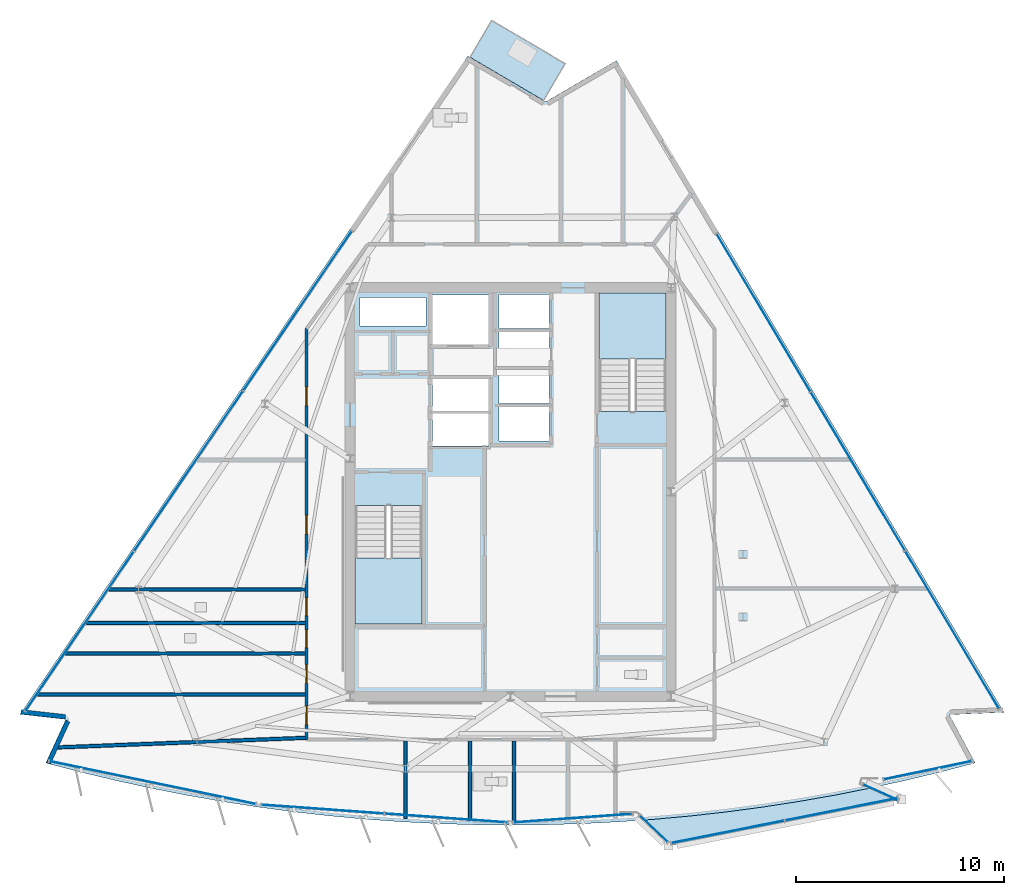
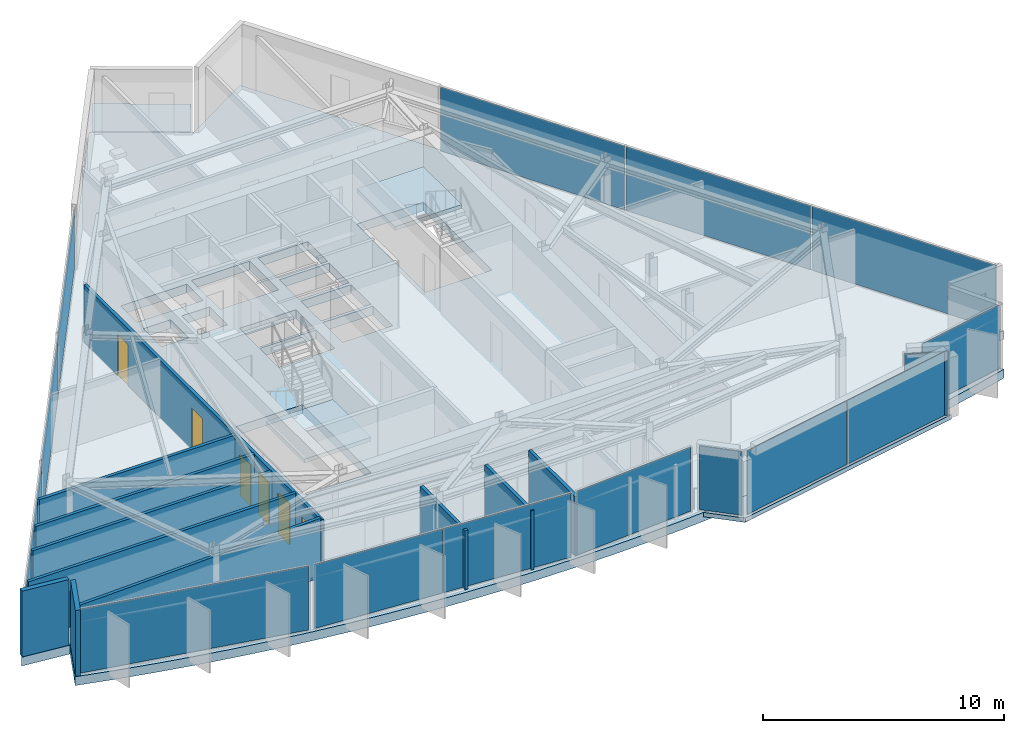
# One storey, part 7 of 14: 15 plates, 11 walls, 6 doors, 5 slabs, 6 openings, 11 elements without a shape of their own.
"""IFC4 building model written with IfcOpenShell, lengths in metres."""

import ifcopenshell
import ifcopenshell.guid

model = None  # the IFC model being written
_history = None  # IfcOwnerHistory: only IFC2X3 demands one
_inside = {}  # id of a spatial element -> (the spatial element, [elements in it])
_under = {}  # id of a project, library or spatial element -> (it, [spatial elements below it])
_declared = {}  # id of a project -> (the project, [libraries it declares])
_typed = {}  # id of a type object -> (the type object, [elements of that type])
_made_of = {}  # id of a material, layer set ... -> (it, [elements and type objects made of it])


def new_model(schema):
    """Start an empty IFC model of exactly this schema.

    Asked for "IFC4X3", IfcOpenShell would pick the latest addendum, in which some entities
    have other attributes; the version numbers below select the first issue.
    IFC2X3 requires an IfcOwnerHistory on every rooted entity: one is made here for all.
    """
    global model, _history
    if schema == "IFC4X3":
        model = ifcopenshell.file(schema_version=(4, 3, 0, 0))
    else:
        model = ifcopenshell.file(schema=schema)
    _inside.clear()
    _under.clear()
    _declared.clear()
    _typed.clear()
    _made_of.clear()
    _history = None
    if model.schema == "IFC2X3":
        org = make("IfcOrganization", Name="unknown")
        user = make(
            "IfcPersonAndOrganization",
            ThePerson=make("IfcPerson", FamilyName="unknown"),
            TheOrganization=org,
        )
        app = make(
            "IfcApplication",
            ApplicationDeveloper=org,
            Version="unknown",
            ApplicationFullName="unknown",
            ApplicationIdentifier="unknown",
        )
        _history = make(
            "IfcOwnerHistory",
            OwningUser=user,
            OwningApplication=app,
            ChangeAction="ADDED",
            CreationDate=0,
        )
    return model


def make(cls, **values):
    """One entity of the class cls with the attributes given. An attribute that is None is left unset."""
    return model.create_entity(
        cls, **{name: value for name, value in values.items() if value is not None}
    )


def rooted(cls, **values):
    """An entity with a GlobalId (a new one), such as an element, a storey or a relation."""
    return make(cls, GlobalId=ifcopenshell.guid.new(), OwnerHistory=_history, **values)


def si_unit(unit_type, name, prefix=None):
    """IfcSIUnit, for example si_unit("LENGTHUNIT", "METRE", prefix="MILLI")."""
    return make("IfcSIUnit", UnitType=unit_type, Prefix=prefix, Name=name)


def assignment(units):
    """IfcUnitAssignment: the units of a project."""
    return None if units is None else make("IfcUnitAssignment", Units=units)


def point(xyz):
    """IfcCartesianPoint."""
    return None if xyz is None else make("IfcCartesianPoint", Coordinates=xyz)


def direction(xyz):
    """IfcDirection."""
    return None if xyz is None else make("IfcDirection", DirectionRatios=xyz)


def frame(location, z_axis=None, x_axis=None):
    """IfcAxis2Placement3D, a coordinate frame: its origin and axes. An axis left out is left unset."""
    return make(
        "IfcAxis2Placement3D",
        Location=point(location),
        Axis=direction(z_axis),
        RefDirection=direction(x_axis),
    )


def frame_2d(location, x_axis=None):
    """IfcAxis2Placement2D, a coordinate frame in the plane: its origin and x axis."""
    return make(
        "IfcAxis2Placement2D", Location=point(location), RefDirection=direction(x_axis)
    )


def origin():
    """The frame at (0, 0, 0) with its axes left unset."""
    return frame((0.0, 0.0, 0.0))


def origin_2d():
    """The frame at (0, 0) in the plane with its x axis left unset."""
    return frame_2d((0.0, 0.0))


def place(relative_to, where):
    """IfcLocalPlacement: puts the frame where relative to a parent placement (None: the world)."""
    return make(
        "IfcLocalPlacement", PlacementRelTo=relative_to, RelativePlacement=where
    )


def context(
    kind, dimensions, precision=None, world=None, true_north=None, identifier=None
):
    """IfcGeometricRepresentationContext, for example the 3D "Model" context."""
    return make(
        "IfcGeometricRepresentationContext",
        ContextIdentifier=identifier,
        ContextType=kind,
        CoordinateSpaceDimension=dimensions,
        Precision=precision,
        WorldCoordinateSystem=world,
        TrueNorth=true_north,
    )


def subcontext(parent, identifier, kind, view, scale=None):
    """IfcGeometricRepresentationSubContext, for example "Body" below "Model"."""
    return make(
        "IfcGeometricRepresentationSubContext",
        ContextIdentifier=identifier,
        ContextType=kind,
        ParentContext=parent,
        TargetScale=scale,
        TargetView=view,
    )


def project(units=None, contexts=None):
    """IfcProject with its units and contexts."""
    return rooted(
        "IfcProject",
        Name="project",
        RepresentationContexts=contexts,
        UnitsInContext=assignment(units),
    )


def spatial(cls, under=None, at=None, **own):
    """A site, building, storey or space (cls), placed at a placement, below another one or the project."""
    s = rooted(cls, ObjectPlacement=at, **own)
    if under is not None:
        _under.setdefault(under.id(), (under, []))[1].append(s)
    return s


def polyline(points):
    """IfcPolyline through the points."""
    return make("IfcPolyline", Points=[point(p) for p in points])


def profile(cls, at=None, kind="AREA", **sizes):
    """A parametric profile (cls). Its sizes go by their IFC names, for example OverallWidth=200.0."""
    return make(cls, ProfileType=kind, Position=at, **sizes)


def rectangle(**sizes):
    """IfcRectangleProfileDef."""
    return profile("IfcRectangleProfileDef", **sizes)


def outline(outer, holes=None, kind="AREA"):
    """IfcArbitraryClosedProfileDef: a profile drawn as a closed curve; with holes, ...WithVoids."""
    if holes is None:
        return make("IfcArbitraryClosedProfileDef", ProfileType=kind, OuterCurve=outer)
    return make(
        "IfcArbitraryProfileDefWithVoids",
        ProfileType=kind,
        OuterCurve=outer,
        InnerCurves=holes,
    )


def extrude(swept, where, along, depth):
    """IfcExtrudedAreaSolid: the profile swept, set in the frame where, extruded along a direction by depth."""
    return make(
        "IfcExtrudedAreaSolid",
        SweptArea=swept,
        Position=where,
        ExtrudedDirection=direction(along),
        Depth=depth,
    )


def shape(context_of_items, identifier, shape_type, items):
    """IfcShapeRepresentation: the items that make up one representation, for example the "Body"."""
    return make(
        "IfcShapeRepresentation",
        ContextOfItems=context_of_items,
        RepresentationIdentifier=identifier,
        RepresentationType=shape_type,
        Items=items,
    )


def material(Name=None, Category=None):
    """IfcMaterial."""
    return make("IfcMaterial", Name=Name, Category=Category)


def layer(
    of_material, thickness, ventilated=None, Name=None, Category=None, Priority=None
):
    """IfcMaterialLayer: one layer of a wall or slab, of a material (None: an air gap)."""
    return make(
        "IfcMaterialLayer",
        Material=of_material,
        LayerThickness=thickness,
        IsVentilated=ventilated,
        Name=Name,
        Category=Category,
        Priority=Priority,
    )


def layer_set(layers, Name=None):
    """IfcMaterialLayerSet."""
    return make("IfcMaterialLayerSet", MaterialLayers=layers, LayerSetName=Name)


def made_of(thing, what):
    """Note that an element or type object is made of a material, layer set ...; save() writes the relation."""
    if what is not None:
        _made_of.setdefault(what.id(), (what, []))[1].append(thing)
    return thing


def type_object(cls, material=None, **own):
    """A type object (cls), such as IfcWallType, which elements share."""
    return made_of(rooted(cls, **own), material)


def element(
    cls,
    number,
    at=None,
    inside=None,
    cuts=None,
    type_object=None,
    material=None,
    context=None,
    identifier="Body",
    shape_type=None,
    held_by="IfcProductDefinitionShape",
    body=None,
    shapes=None,
    **own,
):
    """One element of the class cls, such as IfcWall. Its Tag is "e" and its number.

    at: its placement. inside: the storey or other place that contains it. cuts: it is an
    opening in that element (IfcRelVoidsElement). A single representation is given by context,
    identifier, shape_type and body (its items); several are given by shapes. held_by: the class
    of the entity that holds the representations. save() writes the other relations.
    """
    e = rooted(cls, Tag="e%d" % number, ObjectPlacement=at, **own)
    if body is not None:
        shapes = [shape(context, identifier, shape_type, body)]
    if shapes is not None:
        e.Representation = make(held_by, Representations=shapes)
    if inside is not None:
        _inside.setdefault(inside.id(), (inside, []))[1].append(e)
    if cuts is not None:
        rooted(
            "IfcRelVoidsElement", RelatingBuildingElement=cuts, RelatedOpeningElement=e
        )
    if type_object is not None:
        _typed.setdefault(type_object.id(), (type_object, []))[1].append(e)
    return made_of(e, material)


def fill(opening, filler):
    """IfcRelFillsElement: the door or window that sits in an opening."""
    return rooted(
        "IfcRelFillsElement",
        RelatingOpeningElement=opening,
        RelatedBuildingElement=filler,
    )


def aggregate(whole, parts):
    """IfcRelAggregates: a whole, such as a stair, and the parts it consists of."""
    return rooted("IfcRelAggregates", RelatingObject=whole, RelatedObjects=parts)


def save(model, path):
    """Write the relations noted so far, then the file.

    IfcRelAggregates (storeys below a building ...), IfcRelContainedInSpatialStructure (elements
    in a storey), IfcRelDefinesByType, IfcRelAssociatesMaterial and IfcRelDeclares: one each for
    every whole, place, type object, material and project.
    """
    for whole, parts in _under.values():
        aggregate(whole, parts)
    for where, things in _inside.values():
        rooted(
            "IfcRelContainedInSpatialStructure",
            RelatedElements=things,
            RelatingStructure=where,
        )
    for kind, things in _typed.values():
        rooted("IfcRelDefinesByType", RelatedObjects=things, RelatingType=kind)
    for what, things in _made_of.values():
        rooted("IfcRelAssociatesMaterial", RelatedObjects=things, RelatingMaterial=what)
    for by, libraries in _declared.values():
        rooted("IfcRelDeclares", RelatingContext=by, RelatedDefinitions=libraries)
    model.write(path)


model = new_model("IFC4")

# Units and contexts
model_context = context("Model", 3, precision=1e-05, world=origin(), true_north=direction((0.0, 1.0)))
body_context = subcontext(model_context, "Body", "Model", "MODEL_VIEW")
ifc_project = project(units=[si_unit("LENGTHUNIT", "METRE"), si_unit("AREAUNIT", "SQUARE_METRE"), si_unit("VOLUMEUNIT", "CUBIC_METRE"), si_unit("PLANEANGLEUNIT", "RADIAN"), si_unit("MASSUNIT", "GRAM", prefix="KILO")], contexts=[model_context])

# Site, building, storey
site_placement = place(None, origin())
site = spatial("IfcSite", under=ifc_project, at=site_placement, CompositionType="ELEMENT")
building_placement = place(site_placement, origin())
building = spatial("IfcBuilding", under=site, at=building_placement, Name="Savorim Split Tower", CompositionType="ELEMENT")
storey_placement = place(building_placement, frame((0.0, 0.0, 294.0)))
storey = spatial("IfcBuildingStorey", under=building, at=storey_placement, Name="L78", CompositionType="ELEMENT", Elevation=294.0)

# Curtain wall, plate
ifc_material_1 = material(Name="Dark Ceramic-Fritted Insulated Glass", Category="glass")
curtain_wall_type_1 = type_object("IfcCurtainWallType", Name="CW-TWR-FRIT-B", PredefinedType="NOTDEFINED", material=ifc_material_1)
curtain_wall_1_placement = place(storey_placement, origin())
curtain_wall_1 = element("IfcCurtainWall", 1, at=curtain_wall_1_placement, inside=storey, type_object=curtain_wall_type_1, Name="L78 Curtain Wall CW-L78-SF1A", PredefinedType="NOTDEFINED")
ifc_layer_1 = layer(ifc_material_1, 0.02587890625)
ifc_layer_set_1 = layer_set([ifc_layer_1], Name="CWP-FRITB-26")
plate_type_1 = type_object("IfcPlateType", Name="CWP-FRITB-26", PredefinedType="CURTAIN_PANEL", material=ifc_layer_set_1)
plate_1_placement = place(storey_placement, frame((-17.175537109375, -13.545654296875, 0.0498046875), z_axis=(0.0, 0.0, 1.0), x_axis=(0.979134131762, -0.203215038861, 0.0)))
plate_1 = element("IfcPlate", 2, at=plate_1_placement, type_object=plate_type_1, Name="CW-03 panel 1.1", PredefinedType="CURTAIN_PANEL", context=body_context, shape_type="SweptSolid", body=[
    extrude(rectangle(XDim=10.08544921875, YDim=0.02587890625, at=origin_2d()), origin(), (0.0, 0.0, 1.0), 3.239990234375),
])
aggregate(curtain_wall_1, [plate_1])

# Curtain wall, plates
curtain_wall_2_placement = place(storey_placement, origin())
curtain_wall_2 = element("IfcCurtainWall", 3, at=curtain_wall_2_placement, inside=storey, type_object=curtain_wall_type_1, Name="L78 Curtain Wall CW-L78-SF2A", PredefinedType="NOTDEFINED")
plate_2_placement = place(storey_placement, frame((-9.005859375, -14.822509765625, 0.0498046875), z_axis=(0.0, 0.0, 1.0), x_axis=(0.997436282449, -0.071560201608, 0.0)))
plate_2 = element("IfcPlate", 4, at=plate_2_placement, type_object=plate_type_1, Name="CW-03 panel 1.1", PredefinedType="CURTAIN_PANEL", context=body_context, shape_type="SweptSolid", body=[
    extrude(rectangle(XDim=5.87841796875, YDim=0.02587890625, at=origin_2d()), origin(), (0.0, 0.0, 1.0), 3.239990234375),
])
plate_3_placement = place(storey_placement, frame((-3.082763671875, -15.24755859375, 0.0498046875), z_axis=(0.0, 0.0, 1.0), x_axis=(0.997436282449, -0.071560201608, 0.0)))
plate_3 = element("IfcPlate", 5, at=plate_3_placement, type_object=plate_type_1, Name="CW-03 panel 2.1", PredefinedType="CURTAIN_PANEL", context=body_context, shape_type="SweptSolid", body=[
    extrude(rectangle(XDim=5.87841796875, YDim=0.02587890625, at=origin_2d()), origin(), (0.0, 0.0, 1.0), 3.239990234375),
])
aggregate(curtain_wall_2, [plate_2, plate_3])

# Curtain wall, plate
curtain_wall_3_placement = place(storey_placement, origin())
curtain_wall_3 = element("IfcCurtainWall", 6, at=curtain_wall_3_placement, inside=storey, type_object=curtain_wall_type_1, Name="L78 Curtain Wall CW-L78-SF3A", PredefinedType="NOTDEFINED")
plate_4_placement = place(storey_placement, frame((2.98681640625, -15.25439453125, 0.0498046875), z_axis=(0.0, 0.0, 1.0), x_axis=(0.997436181633, 0.071561606808, 0.0)))
plate_4 = element("IfcPlate", 7, at=plate_4_placement, type_object=plate_type_1, Name="CW-03 panel 1.1", PredefinedType="CURTAIN_PANEL", context=body_context, shape_type="SweptSolid", body=[
    extrude(rectangle(XDim=5.686279296875, YDim=0.02587890625, at=origin_2d()), origin(), (0.0, 0.0, 1.0), 3.239990234375),
])
aggregate(curtain_wall_3, [plate_4])

curtain_wall_4_placement = place(storey_placement, origin())
curtain_wall_4 = element("IfcCurtainWall", 8, at=curtain_wall_4_placement, inside=storey, type_object=curtain_wall_type_1, Name="L78 Curtain Wall CW-L78-SF4A", PredefinedType="NOTDEFINED")
plate_5_placement = place(storey_placement, frame((20.01708984375, -12.9560546875, 0.0498046875), z_axis=(0.0, 0.0, 1.0), x_axis=(0.979133069739, 0.203220155852, 0.0)))
plate_5 = element("IfcPlate", 9, at=plate_5_placement, type_object=plate_type_1, Name="CW-03 panel 1.1", PredefinedType="CURTAIN_PANEL", context=body_context, shape_type="SweptSolid", body=[
    extrude(rectangle(XDim=4.28125, YDim=0.02587890625, at=origin_2d()), origin(), (0.0, 0.0, 1.0), 3.239990234375),
])
aggregate(curtain_wall_4, [plate_5])

# Curtain wall, plates
curtain_wall_5_placement = place(storey_placement, origin())
curtain_wall_5 = element("IfcCurtainWall", 10, at=curtain_wall_5_placement, inside=storey, type_object=curtain_wall_type_1, Name="L78 Curtain Wall CW-L78-EAST", PredefinedType="NOTDEFINED")
plate_6_placement = place(storey_placement, frame((21.18701171875, -6.226318359375, 0.0498046875), z_axis=(0.0, 0.0, 1.0), x_axis=(-0.511091684727, 0.859526200766, 0.0)))
plate_6 = element("IfcPlate", 11, at=plate_6_placement, type_object=plate_type_1, Name="CW-03 panel 1.1", PredefinedType="CURTAIN_PANEL", context=body_context, shape_type="SweptSolid", body=[
    extrude(rectangle(XDim=8.775390625, YDim=0.02587890625, at=origin_2d()), origin(), (0.0, 0.0, 1.0), 3.239990234375),
])
plate_7_placement = place(storey_placement, frame((16.66357421875, 1.380615234375, 0.0498046875), z_axis=(0.0, 0.0, 1.0), x_axis=(-0.511091684727, 0.859526200766, 0.0)))
plate_7 = element("IfcPlate", 12, at=plate_7_placement, type_object=plate_type_1, Name="CW-03 panel 2.1", PredefinedType="CURTAIN_PANEL", context=body_context, shape_type="SweptSolid", body=[
    extrude(rectangle(XDim=8.80517578125, YDim=0.02587890625, at=origin_2d()), origin(), (0.0, 0.0, 1.0), 3.239990234375),
])
plate_8_placement = place(storey_placement, frame((12.140380859375, 8.98779296875, 0.0498046875), z_axis=(0.0, 0.0, 1.0), x_axis=(-0.511091684727, 0.859526200766, 0.0)))
plate_8 = element("IfcPlate", 13, at=plate_8_placement, type_object=plate_type_1, Name="CW-03 panel 3.1", PredefinedType="CURTAIN_PANEL", context=body_context, shape_type="SweptSolid", body=[
    extrude(rectangle(XDim=8.775390625, YDim=0.02587890625, at=origin_2d()), origin(), (0.0, 0.0, 1.0), 3.239990234375),
])
aggregate(curtain_wall_5, [plate_6, plate_7, plate_8])

curtain_wall_6_placement = place(storey_placement, origin())
curtain_wall_6 = element("IfcCurtainWall", 14, at=curtain_wall_6_placement, inside=storey, type_object=curtain_wall_type_1, Name="L78 Curtain Wall CW-L78-WEST", PredefinedType="NOTDEFINED")
plate_9_placement = place(storey_placement, frame((-10.220703125, 9.082275390625, 0.0498046875), z_axis=(0.0, 0.0, 1.0), x_axis=(-0.562470084107, -0.826817636776, 0.0)))
plate_9 = element("IfcPlate", 15, at=plate_9_placement, type_object=plate_type_1, Name="CW-03 panel 1.1", PredefinedType="CURTAIN_PANEL", context=body_context, shape_type="SweptSolid", body=[
    extrude(rectangle(XDim=9.22265625, YDim=0.02587890625, at=origin_2d()), origin(), (0.0, 0.0, 1.0), 3.239990234375),
])
plate_10_placement = place(storey_placement, frame((-15.450439453125, 1.394775390625, 0.0498046875), z_axis=(0.0, 0.0, 1.0), x_axis=(-0.562470084107, -0.826817636776, 0.0)))
plate_10 = element("IfcPlate", 16, at=plate_10_placement, type_object=plate_type_1, Name="CW-03 panel 2.1", PredefinedType="CURTAIN_PANEL", context=body_context, shape_type="SweptSolid", body=[
    extrude(rectangle(XDim=9.252685546875, YDim=0.02587890625, at=origin_2d()), origin(), (0.0, 0.0, 1.0), 3.239990234375),
])
plate_11_placement = place(storey_placement, frame((-20.679931640625, -6.292724609375, 0.0498046875), z_axis=(0.0, 0.0, 1.0), x_axis=(-0.562470084107, -0.826817636776, 0.0)))
plate_11 = element("IfcPlate", 17, at=plate_11_placement, type_object=plate_type_1, Name="CW-03 panel 3.1", PredefinedType="CURTAIN_PANEL", context=body_context, shape_type="SweptSolid", body=[
    extrude(rectangle(XDim=9.22265625, YDim=0.02587890625, at=origin_2d()), origin(), (0.0, 0.0, 1.0), 3.239990234375),
])
aggregate(curtain_wall_6, [plate_9, plate_10, plate_11])

curtain_wall_type_2 = type_object("IfcCurtainWallType", Name="CW-BAY-LOUNGE", PredefinedType="NOTDEFINED", material=ifc_material_1)
curtain_wall_7_placement = place(storey_placement, origin())
curtain_wall_7 = element("IfcCurtainWall", 18, at=curtain_wall_7_placement, inside=storey, type_object=curtain_wall_type_2, Name="L78 Curtain Wall CW-L78-BAYF", PredefinedType="NOTDEFINED")
ifc_material_2 = material(Name="Low-E Operable Double Glazing", Category="glass")
ifc_layer_2 = layer(ifc_material_2, 0.031982421875)
ifc_layer_set_2 = layer_set([ifc_layer_2], Name="CWP-POD-32")
plate_type_2 = type_object("IfcPlateType", Name="CWP-POD-32", PredefinedType="CURTAIN_PANEL", material=ifc_layer_set_2)
plate_12_placement = place(storey_placement, frame((10.43017578125, -15.912109375, 0.054931640625), z_axis=(0.0, 0.0, 1.0), x_axis=(0.980905606927, 0.194484421737, 0.0)))
plate_12 = element("IfcPlate", 19, at=plate_12_placement, type_object=plate_type_2, Name="CW-04 panel 1.1", PredefinedType="CURTAIN_PANEL", context=body_context, shape_type="SweptSolid", body=[
    extrude(rectangle(XDim=5.48388671875, YDim=0.031982421875, at=origin_2d()), origin(), (0.0, 0.0, 1.0), 3.22998046875),
])
plate_13_placement = place(storey_placement, frame((15.873291015625, -14.8330078125, 0.054931640625), z_axis=(0.0, 0.0, 1.0), x_axis=(0.980905606927, 0.194484421737, 0.0)))
plate_13 = element("IfcPlate", 20, at=plate_13_placement, type_object=plate_type_2, Name="CW-04 panel 2.1", PredefinedType="CURTAIN_PANEL", context=body_context, shape_type="SweptSolid", body=[
    extrude(rectangle(XDim=5.48388671875, YDim=0.031982421875, at=origin_2d()), origin(), (0.0, 0.0, 1.0), 3.22998046875),
])
aggregate(curtain_wall_7, [plate_12, plate_13])

# Curtain wall, plate
curtain_wall_8_placement = place(storey_placement, origin())
curtain_wall_8 = element("IfcCurtainWall", 21, at=curtain_wall_8_placement, inside=storey, type_object=curtain_wall_type_2, Name="L78 Curtain Wall CW-L78-BAYW", PredefinedType="NOTDEFINED")
plate_14_placement = place(storey_placement, frame((6.87060546875, -15.77099609375, 0.054931640625), z_axis=(0.0, 0.0, 1.0), x_axis=(0.725947265725, -0.687750367057, 0.0)))
plate_14 = element("IfcPlate", 22, at=plate_14_placement, type_object=plate_type_2, Name="CW-04 panel 1.1", PredefinedType="CURTAIN_PANEL", context=body_context, shape_type="SweptSolid", body=[
    extrude(rectangle(XDim=1.81005859375, YDim=0.031982421875, at=origin_2d()), origin(), (0.0, 0.0, 1.0), 3.22998046875),
])
aggregate(curtain_wall_8, [plate_14])

curtain_wall_9_placement = place(storey_placement, origin())
curtain_wall_9 = element("IfcCurtainWall", 23, at=curtain_wall_9_placement, inside=storey, type_object=curtain_wall_type_2, Name="L78 Curtain Wall CW-L78-BAYE", PredefinedType="NOTDEFINED")
plate_15_placement = place(storey_placement, frame((17.74658203125, -14.01513671875, 0.054931640625), z_axis=(0.0, 0.0, 1.0), x_axis=(-0.912431017812, 0.409230543501, 0.0)))
plate_15 = element("IfcPlate", 24, at=plate_15_placement, type_object=plate_type_2, Name="CW-04 panel 1.1", PredefinedType="CURTAIN_PANEL", context=body_context, shape_type="SweptSolid", body=[
    extrude(rectangle(XDim=1.81005859375, YDim=0.031982421875, at=origin_2d()), origin(), (0.0, 0.0, 1.0), 3.22998046875),
])
aggregate(curtain_wall_9, [plate_15])

# Slabs
ifc_material_3 = material(Name="Concrete C50/60", Category="concrete")
ifc_layer_3 = layer(ifc_material_3, 0.219970703125)
ifc_layer_set_3 = layer_set([ifc_layer_3], Name="SLB-BAL-220")
slab_type_1 = type_object("IfcSlabType", Name="SLB-BAL-220", PredefinedType="FLOOR", material=ifc_layer_set_3)
slab_1_placement = place(storey_placement, frame((0.0, 0.0, -0.219970703125)))
element("IfcSlab", 25, at=slab_1_placement, inside=storey, type_object=slab_type_1, Name="L78 Cantilevered Shared Kitchen Lounge Slab", PredefinedType="FLOOR", context=body_context, shape_type="SweptSolid", body=[
    extrude(outline(polyline([(17.44921875, -13.772216796875), (17.232421875, -13.819580078125), (15.52978515625, -14.15478515625), (13.820556640625, -14.455078125), (12.105712890625, -14.720458984375), (10.3857421875, -14.95068359375), (8.66162109375, -15.1455078125), (6.93359375, -15.30517578125), (6.28271484375, -15.351806640625), (7.57861328125, -16.57958984375), (18.763916015625, -14.36181640625), (17.44921875, -13.772216796875)])), origin(), (0.0, 0.0, 1.0), 0.219970703125),
])
slab_2_placement = place(storey_placement, frame((0.0, 0.0, -0.219970703125)))
element("IfcSlab", 26, at=slab_2_placement, inside=storey, type_object=slab_type_1, Name="L78 Notched Corner Planted Tree Balcony Slab", PredefinedType="FLOOR", context=body_context, shape_type="SweptSolid", body=[
    extrude(outline(polyline([(-1.941650390625, 21.25341796875), (1.5869140625, 19.1796875), (2.623046875, 20.94287109375), (-0.905517578125, 23.0166015625), (-1.941650390625, 21.25341796875)])), origin(), (0.0, 0.0, 1.0), 0.219970703125),
])
ifc_layer_4 = layer(ifc_material_3, 0.449951171875)
ifc_layer_set_4 = layer_set([ifc_layer_4], Name="SLB-BASE-450")
slab_type_2 = type_object("IfcSlabType", Name="SLB-BASE-450", PredefinedType="BASESLAB", material=ifc_layer_set_4)
slab_3_placement = place(storey_placement, frame((0.0, 0.0, -0.449951171875)))
element("IfcSlab", 27, at=slab_3_placement, inside=storey, type_object=slab_type_2, Name="L78 Structural Floor Slab", PredefinedType="BASESLAB", context=body_context, shape_type="SweptSolid", body=[
    extrude(outline(polyline([(-22.2939453125, -12.60595703125), (-20.615234375, -13.045166015625), (-18.927734375, -13.44970703125), (-17.232421875, -13.819580078125), (-15.52978515625, -14.15478515625), (-13.820556640625, -14.455078125), (-12.105712890625, -14.720458984375), (-10.3857421875, -14.95068359375), (-8.66162109375, -15.1455078125), (-6.93359375, -15.30517578125), (-5.20263671875, -15.42919921875), (-3.4697265625, -15.51806640625), (-1.735107421875, -15.5712890625), (0.0, -15.589111328125), (1.735107421875, -15.5712890625), (3.4697265625, -15.51806640625), (5.20263671875, -15.42919921875), (6.93359375, -15.30517578125), (8.66162109375, -15.1455078125), (10.3857421875, -14.95068359375), (12.105712890625, -14.720458984375), (13.820556640625, -14.455078125), (15.52978515625, -14.15478515625), (17.232421875, -13.819580078125), (18.927734375, -13.44970703125), (20.615234375, -13.045166015625), (22.2939453125, -12.60595703125), (21.050537109375, -10.288818359375), (23.67578125, -10.177001953125), (5.08203125, 21.0927734375), (1.687744140625, 19.114501953125), (-2.047607421875, 21.31005859375), (-23.530517578125, -10.269287109375), (-21.333251953125, -10.514892578125), (-22.2939453125, -12.60595703125)]), holes=[polyline([(-7.449951171875, -0.25390625), (-7.449951171875, -5.949951171875), (-4.25, -5.949951171875), (-4.25, -0.25390625), (-7.449951171875, -0.25390625)]), polyline([(7.449951171875, 4.25390625), (7.449951171875, 9.949951171875), (4.25, 9.949951171875), (4.25, 4.25390625), (7.449951171875, 4.25390625)]), polyline([(-0.550048828125, 2.830078125), (1.85009765625, 2.830078125), (1.85009765625, 4.469970703125), (-0.550048828125, 4.469970703125), (-0.550048828125, 2.830078125)]), polyline([(-0.550048828125, 4.6298828125), (1.85009765625, 4.6298828125), (1.85009765625, 6.27001953125), (-0.550048828125, 6.27001953125), (-0.550048828125, 4.6298828125)]), polyline([(-0.550048828125, 6.429931640625), (1.85009765625, 6.429931640625), (1.85009765625, 8.070068359375), (-0.550048828125, 8.070068359375), (-0.550048828125, 6.429931640625)]), polyline([(-0.550048828125, 8.22998046875), (1.85009765625, 8.22998046875), (1.85009765625, 9.8701171875), (-0.550048828125, 9.8701171875), (-0.550048828125, 8.22998046875)]), polyline([(-3.75, 2.60009765625), (-1.050048828125, 2.60009765625), (-1.050048828125, 4.159912109375), (-3.75, 4.159912109375), (-3.75, 2.60009765625)]), polyline([(-3.75, 4.280029296875), (-1.050048828125, 4.280029296875), (-1.050048828125, 5.840087890625), (-3.75, 5.840087890625), (-3.75, 4.280029296875)]), polyline([(-3.75, 7.449951171875), (-0.949951171875, 7.449951171875), (-0.949951171875, 9.85009765625), (-3.75, 9.85009765625), (-3.75, 7.449951171875)]), polyline([(-7.219970703125, 6.320068359375), (-5.919921875, 6.320068359375), (-5.919921875, 7.820068359375), (-7.219970703125, 7.820068359375), (-7.219970703125, 6.320068359375)]), polyline([(-5.3798828125, 6.320068359375), (-4.050048828125, 6.320068359375), (-4.050048828125, 7.820068359375), (-5.3798828125, 7.820068359375), (-5.3798828125, 6.320068359375)]), polyline([(-7.219970703125, 8.360107421875), (-4.050048828125, 8.360107421875), (-4.050048828125, 9.719970703125), (-7.219970703125, 9.719970703125), (-7.219970703125, 8.360107421875)])]), origin(), (0.0, 0.0, 1.0), 0.449951171875),
])

# Stair, slab
stair_type = type_object("IfcStairType", Name="STR-DOG-3600", PredefinedType="HALF_TURN_STAIR", material=ifc_material_3)
stair_1_placement = place(storey_placement, origin())
stair_1 = element("IfcStair", 28, at=stair_1_placement, inside=storey, type_object=stair_type, Name="L78 Core Protected Exit Stair ST-1", PredefinedType="HALF_TURN_STAIR")
ifc_layer_5 = layer(ifc_material_3, 0.199951171875)
ifc_layer_set_5 = layer_set([ifc_layer_5], Name="SLB-LND-200")
slab_type_3 = type_object("IfcSlabType", Name="SLB-LND-200", PredefinedType="LANDING", material=ifc_layer_set_5)
slab_4_placement = place(storey_placement, frame((0.0, 0.0, 1.60009765625)))
slab_4 = element("IfcSlab", 29, at=slab_4_placement, type_object=slab_type_3, Name="ST-1 landing 1", PredefinedType="LANDING", context=body_context, shape_type="SweptSolid", body=[
    extrude(outline(polyline([(-7.449951171875, -2.77001953125), (-7.449951171875, -5.949951171875), (-4.25, -5.949951171875), (-4.25, -2.77001953125), (-7.449951171875, -2.77001953125)])), origin(), (0.0, 0.0, 1.0), 0.199951171875),
])
aggregate(stair_1, [slab_4])

stair_2_placement = place(storey_placement, origin())
stair_2 = element("IfcStair", 30, at=stair_2_placement, inside=storey, type_object=stair_type, Name="L78 Core Protected Exit Stair ST-2", PredefinedType="HALF_TURN_STAIR")
slab_5_placement = place(storey_placement, frame((0.0, 0.0, 1.60009765625)))
slab_5 = element("IfcSlab", 31, at=slab_5_placement, type_object=slab_type_3, Name="ST-2 landing 1", PredefinedType="LANDING", context=body_context, shape_type="SweptSolid", body=[
    extrude(outline(polyline([(7.449951171875, 6.77001953125), (7.449951171875, 9.949951171875), (4.25, 9.949951171875), (4.25, 6.77001953125), (7.449951171875, 6.77001953125)])), origin(), (0.0, 0.0, 1.0), 0.199951171875),
])
aggregate(stair_2, [slab_5])

# Walls
ifc_material_4 = material(Name="Precast concrete C40/50", Category="concrete")
ifc_layer_6 = layer(ifc_material_4, 0.219970703125)
ifc_layer_set_6 = layer_set([ifc_layer_6], Name="WAL-EXT-CRN220")
wall_type_1 = type_object("IfcWallType", Name="WAL-EXT-CRN220", PredefinedType="SOLIDWALL", material=ifc_layer_set_6)
wall_1_placement = place(storey_placement, frame((-21.359619140625, -10.39111328125, 0.0), z_axis=(0.0, 0.0, 1.0), x_axis=(-0.993817888275, 0.111022542511, 0.0)))
element("IfcWall", 32, at=wall_1_placement, inside=storey, type_object=wall_type_1, Name="L78 Notched Corner Facade Wall SW1", PredefinedType="SOLIDWALL", context=body_context, shape_type="SweptSolid", body=[
    extrude(rectangle(XDim=2.130859375, YDim=0.219970703125, at=frame_2d((1.0654296875, 0.0))), origin(), (0.0, 0.0, 1.0), 3.340087890625),
])
wall_2_placement = place(storey_placement, frame((-22.168212890625, -12.619873046875, 0.0), z_axis=(0.0, 0.0, 1.0), x_axis=(0.417426589535, 0.908710648308, 0.0)))
element("IfcWall", 33, at=wall_2_placement, inside=storey, type_object=wall_type_1, Name="L78 Notched Corner Facade Wall SW", PredefinedType="SOLIDWALL", context=body_context, shape_type="SweptSolid", body=[
    extrude(rectangle(XDim=2.221435546875, YDim=0.219970703125, at=frame_2d((1.11083984375, 0.0))), origin(), (0.0, 0.0, 1.0), 3.340087890625),
])

# Wall, openings, doors
ifc_material_5 = material(Name="Acoustic Gypsum Partition Board")
ifc_layer_7 = layer(ifc_material_5, 0.14990234375)
ifc_layer_set_7 = layer_set([ifc_layer_7], Name="WAL-PAR-150")
wall_type_2 = type_object("IfcWallType", Name="WAL-PAR-150", PredefinedType="PARTITIONING", material=ifc_layer_set_7)
wall_3_placement = place(storey_placement, frame((-9.780029296875, -11.47998046875, 0.0), z_axis=(0.0, 0.0, 1.0), x_axis=(0.0, 1.0, 0.0)))
wall_3 = element("IfcWall", 34, at=wall_3_placement, inside=storey, type_object=wall_type_2, Name="L78 Partition W-L78-COR-01", PredefinedType="PARTITIONING", context=body_context, shape_type="SweptSolid", body=[
    extrude(rectangle(XDim=19.705810546875, YDim=0.14990234375, at=frame_2d((9.85302734375, 0.0))), origin(), (0.0, 0.0, 1.0), 2.9150390625),
])
opening_1_placement = place(wall_3_placement, frame((9.8505859375, 0.0, 0.0)))
opening_1 = element("IfcOpeningElement", 35, at=opening_1_placement, cuts=wall_3, Name="Opening DI-06", PredefinedType="OPENING", context=body_context, shape_type="SweptSolid", body=[
    extrude(rectangle(XDim=0.89990234375, YDim=2.10009765625, at=frame_2d((0.449951171875, 1.050048828125))), frame((0.0, 0.0849609375, 0.0), z_axis=(0.0, -1.0, 0.0), x_axis=(1.0, 0.0, 0.0)), (0.0, 0.0, 1.0), 0.169921875),
])
opening_2_placement = place(wall_3_placement, frame((5.939208984375, 0.0, 0.0)))
opening_2 = element("IfcOpeningElement", 36, at=opening_2_placement, cuts=wall_3, Name="Opening DI-13", PredefinedType="OPENING", context=body_context, shape_type="SweptSolid", body=[
    extrude(rectangle(XDim=0.85009765625, YDim=2.10009765625, at=frame_2d((0.425048828125, 1.050048828125))), frame((0.0, 0.0849609375, 0.0), z_axis=(0.0, -1.0, 0.0), x_axis=(1.0, 0.0, 0.0)), (0.0, 0.0, 1.0), 0.169921875),
])
opening_3_placement = place(wall_3_placement, frame((4.407958984375, 0.0, 0.0)))
opening_3 = element("IfcOpeningElement", 37, at=opening_3_placement, cuts=wall_3, Name="Opening DI-13", PredefinedType="OPENING", context=body_context, shape_type="SweptSolid", body=[
    extrude(rectangle(XDim=0.85009765625, YDim=2.10009765625, at=frame_2d((0.425048828125, 1.050048828125))), frame((0.0, 0.0849609375, 0.0), z_axis=(0.0, -1.0, 0.0), x_axis=(1.0, 0.0, 0.0)), (0.0, 0.0, 1.0), 0.169921875),
])
opening_4_placement = place(wall_3_placement, frame((2.69287109375, 0.0, 0.0)))
opening_4 = element("IfcOpeningElement", 38, at=opening_4_placement, cuts=wall_3, Name="Opening DI-06", PredefinedType="OPENING", context=body_context, shape_type="SweptSolid", body=[
    extrude(rectangle(XDim=0.89990234375, YDim=2.10009765625, at=frame_2d((0.449951171875, 1.050048828125))), frame((0.0, 0.0849609375, 0.0), z_axis=(0.0, -1.0, 0.0), x_axis=(1.0, 0.0, 0.0)), (0.0, 0.0, 1.0), 0.169921875),
])
opening_5_placement = place(wall_3_placement, frame((0.717529296875, 0.0, 0.0)))
opening_5 = element("IfcOpeningElement", 39, at=opening_5_placement, cuts=wall_3, Name="Opening DI-06", PredefinedType="OPENING", context=body_context, shape_type="SweptSolid", body=[
    extrude(rectangle(XDim=0.89990234375, YDim=2.10009765625, at=frame_2d((0.449951171875, 1.050048828125))), frame((0.0, 0.0849609375, 0.0), z_axis=(0.0, -1.0, 0.0), x_axis=(1.0, 0.0, 0.0)), (0.0, 0.0, 1.0), 0.169921875),
])
opening_6_placement = place(wall_3_placement, frame((16.018798828125, 0.0, 0.0)))
opening_6 = element("IfcOpeningElement", 40, at=opening_6_placement, cuts=wall_3, Name="Opening DI-06", PredefinedType="OPENING", context=body_context, shape_type="SweptSolid", body=[
    extrude(rectangle(XDim=0.89990234375, YDim=2.10009765625, at=frame_2d((0.449951171875, 1.050048828125))), frame((0.0, 0.0849609375, 0.0), z_axis=(0.0, -1.0, 0.0), x_axis=(1.0, 0.0, 0.0)), (0.0, 0.0, 1.0), 0.169921875),
])
ifc_material_6 = material(Name="Timber Fire Door Leaf", Category="wood")
door_type_1 = type_object("IfcDoorType", Name="DOR-FIR-850", OperationType="NOTDEFINED", PredefinedType="DOOR", material=ifc_material_6)
door_1_placement = place(opening_2_placement, origin())
door_1 = element("IfcDoor", 41, at=door_1_placement, inside=storey, type_object=door_type_1, Name="DR-L78-RM02 - L78 Shared Kitchen Entry Door", OperationType="SINGLE_SWING_LEFT", OverallHeight=2.10009765625, OverallWidth=0.85009765625, PredefinedType="DOOR", context=body_context, shape_type="SweptSolid", body=[
    extrude(rectangle(XDim=0.85009765625, YDim=2.10009765625, at=frame_2d((0.425048828125, 1.050048828125))), frame((0.0, 0.02490234375, 0.0), z_axis=(0.0, -1.0, 0.0), x_axis=(1.0, 0.0, 0.0)), (0.0, 0.0, 1.0), 0.050048828125),
])
fill(opening_2, door_1)
door_2_placement = place(opening_3_placement, origin())
door_2 = element("IfcDoor", 42, at=door_2_placement, inside=storey, type_object=door_type_1, Name="DR-L78-RM03 - L78 Community Laundry Room Entry Door", OperationType="SINGLE_SWING_RIGHT", OverallHeight=2.10009765625, OverallWidth=0.85009765625, PredefinedType="DOOR", context=body_context, shape_type="SweptSolid", body=[
    extrude(rectangle(XDim=0.85009765625, YDim=2.10009765625, at=frame_2d((0.425048828125, 1.050048828125))), frame((0.0, 0.02490234375, 0.0), z_axis=(0.0, -1.0, 0.0), x_axis=(1.0, 0.0, 0.0)), (0.0, 0.0, 1.0), 0.050048828125),
])
fill(opening_3, door_2)
door_type_2 = type_object("IfcDoorType", Name="DOR-FIR-900", OperationType="NOTDEFINED", PredefinedType="DOOR", material=ifc_material_6)
door_3_placement = place(opening_1_placement, origin())
door_3 = element("IfcDoor", 43, at=door_3_placement, inside=storey, type_object=door_type_2, Name="DR-L78-RM01 - L78 Communal Lounge Entry Door", OperationType="SINGLE_SWING_RIGHT", OverallHeight=2.10009765625, OverallWidth=0.89990234375, PredefinedType="DOOR", context=body_context, shape_type="SweptSolid", body=[
    extrude(rectangle(XDim=0.89990234375, YDim=2.10009765625, at=frame_2d((0.449951171875, 1.050048828125))), frame((0.0, 0.02490234375, 0.0), z_axis=(0.0, -1.0, 0.0), x_axis=(1.0, 0.0, 0.0)), (0.0, 0.0, 1.0), 0.050048828125),
])
fill(opening_1, door_3)
door_4_placement = place(opening_4_placement, origin())
door_4 = element("IfcDoor", 44, at=door_4_placement, inside=storey, type_object=door_type_2, Name="DR-L78-RM04 - L78 Quiet Study Room Entry Door", OperationType="SINGLE_SWING_LEFT", OverallHeight=2.10009765625, OverallWidth=0.89990234375, PredefinedType="DOOR", context=body_context, shape_type="SweptSolid", body=[
    extrude(rectangle(XDim=0.89990234375, YDim=2.10009765625, at=frame_2d((0.449951171875, 1.050048828125))), frame((0.0, 0.02490234375, 0.0), z_axis=(0.0, -1.0, 0.0), x_axis=(1.0, 0.0, 0.0)), (0.0, 0.0, 1.0), 0.050048828125),
])
fill(opening_4, door_4)
door_5_placement = place(opening_5_placement, origin())
door_5 = element("IfcDoor", 45, at=door_5_placement, inside=storey, type_object=door_type_2, Name="DR-L78-RM05 - L78 Quiet Study Room Entry Door", OperationType="SINGLE_SWING_RIGHT", OverallHeight=2.10009765625, OverallWidth=0.89990234375, PredefinedType="DOOR", context=body_context, shape_type="SweptSolid", body=[
    extrude(rectangle(XDim=0.89990234375, YDim=2.10009765625, at=frame_2d((0.449951171875, 1.050048828125))), frame((0.0, 0.02490234375, 0.0), z_axis=(0.0, -1.0, 0.0), x_axis=(1.0, 0.0, 0.0)), (0.0, 0.0, 1.0), 0.050048828125),
])
fill(opening_5, door_5)
door_6_placement = place(opening_6_placement, origin())
door_6 = element("IfcDoor", 46, at=door_6_placement, inside=storey, type_object=door_type_2, Name="DR-L78-RM18 - L78 Maker Workshop Entry Door", OperationType="SINGLE_SWING_LEFT", OverallHeight=2.10009765625, OverallWidth=0.89990234375, PredefinedType="DOOR", context=body_context, shape_type="SweptSolid", body=[
    extrude(rectangle(XDim=0.89990234375, YDim=2.10009765625, at=frame_2d((0.449951171875, 1.050048828125))), frame((0.0, 0.02490234375, 0.0), z_axis=(0.0, -1.0, 0.0), x_axis=(1.0, 0.0, 0.0)), (0.0, 0.0, 1.0), 0.050048828125),
])
fill(opening_6, door_6)

# Walls
wall_4_placement = place(storey_placement, frame((-9.83984375, -11.39990234375, 0.0), z_axis=(0.0, 0.0, 1.0), x_axis=(-0.999249099211, -0.038745809153, 0.0)))
element("IfcWall", 47, at=wall_4_placement, inside=storey, type_object=wall_type_2, Name="L78 Partition W-L78-PRAD01", PredefinedType="PARTITIONING", context=body_context, shape_type="SweptSolid", body=[
    extrude(rectangle(XDim=11.934326171875, YDim=0.14990234375, at=frame_2d((5.96728515625, 0.0))), origin(), (0.0, 0.0, 1.0), 3.0048828125),
])
wall_5_placement = place(storey_placement, frame((-5.039794921875, -11.5400390625, 0.0), z_axis=(0.0, 0.0, 1.0), x_axis=(0.0, -1.0, 0.0)))
element("IfcWall", 48, at=wall_5_placement, inside=storey, type_object=wall_type_2, Name="L78 Partition W-L78-PRAD02", PredefinedType="PARTITIONING", context=body_context, shape_type="SweptSolid", body=[
    extrude(rectangle(XDim=3.727294921875, YDim=0.14990234375, at=frame_2d((1.86376953125, 0.0))), origin(), (0.0, 0.0, 1.0), 3.0048828125),
])
wall_6_placement = place(storey_placement, frame((-9.840087890625, -4.288818359375, 0.0), z_axis=(0.0, 0.0, 1.0), x_axis=(-1.0, 0.0, 0.0)))
element("IfcWall", 49, at=wall_6_placement, inside=storey, type_object=wall_type_2, Name="L78 Partition W-L78-PRAD10", PredefinedType="PARTITIONING", context=body_context, shape_type="SweptSolid", body=[
    extrude(rectangle(XDim=9.416259765625, YDim=0.14990234375, at=frame_2d((4.7080078125, 0.0))), origin(), (0.0, 0.0, 1.0), 2.9150390625),
])
wall_7_placement = place(storey_placement, frame((-9.840087890625, -7.35107421875, 0.0), z_axis=(0.0, 0.0, 1.0), x_axis=(-1.0, 0.0, 0.0)))
element("IfcWall", 50, at=wall_7_placement, inside=storey, type_object=wall_type_2, Name="L78 Partition W-L78-SUB01", PredefinedType="PARTITIONING", context=body_context, shape_type="SweptSolid", body=[
    extrude(rectangle(XDim=11.49951171875, YDim=0.14990234375, at=frame_2d((5.749755859375, 0.0))), origin(), (0.0, 0.0, 1.0), 2.9150390625),
])
wall_8_placement = place(storey_placement, frame((0.16259765625, -11.5400390625, 0.0), z_axis=(0.0, 0.0, 1.0), x_axis=(0.0, -1.0, 0.0)))
element("IfcWall", 51, at=wall_8_placement, inside=storey, type_object=wall_type_2, Name="L78 Partition W-L78-SUB02", PredefinedType="PARTITIONING", context=body_context, shape_type="SweptSolid", body=[
    extrude(rectangle(XDim=3.877197265625, YDim=0.14990234375, at=frame_2d((1.9384765625, 0.0))), origin(), (0.0, 0.0, 1.0), 3.0048828125),
])
wall_9_placement = place(storey_placement, frame((-9.840087890625, -5.89306640625, 0.0), z_axis=(0.0, 0.0, 1.0), x_axis=(-1.0, 0.0, 0.0)))
element("IfcWall", 52, at=wall_9_placement, inside=storey, type_object=wall_type_2, Name="L78 Partition W-L78-SUB04", PredefinedType="PARTITIONING", context=body_context, shape_type="SweptSolid", body=[
    extrude(rectangle(XDim=10.507568359375, YDim=0.14990234375, at=frame_2d((5.25390625, 0.0))), origin(), (0.0, 0.0, 1.0), 2.9150390625),
])
wall_10_placement = place(storey_placement, frame((-9.840087890625, -9.3232421875, 0.0), z_axis=(0.0, 0.0, 1.0), x_axis=(-1.0, 0.0, 0.0)))
element("IfcWall", 53, at=wall_10_placement, inside=storey, type_object=wall_type_2, Name="L78 Partition W-L78-SUB05", PredefinedType="PARTITIONING", context=body_context, shape_type="SweptSolid", body=[
    extrude(rectangle(XDim=12.84130859375, YDim=0.14990234375, at=frame_2d((6.420654296875, 0.0))), origin(), (0.0, 0.0, 1.0), 3.0048828125),
])
wall_11_placement = place(storey_placement, frame((-1.946044921875, -11.5400390625, 0.0), z_axis=(0.0, 0.0, 1.0), x_axis=(0.0, -1.0, 0.0)))
element("IfcWall", 54, at=wall_11_placement, inside=storey, type_object=wall_type_2, Name="L78 Partition W-L78-SUB06", PredefinedType="PARTITIONING", context=body_context, shape_type="SweptSolid", body=[
    extrude(rectangle(XDim=3.854736328125, YDim=0.14990234375, at=frame_2d((1.92724609375, 0.0))), origin(), (0.0, 0.0, 1.0), 3.0048828125),
])

save(model, "model.ifc")
